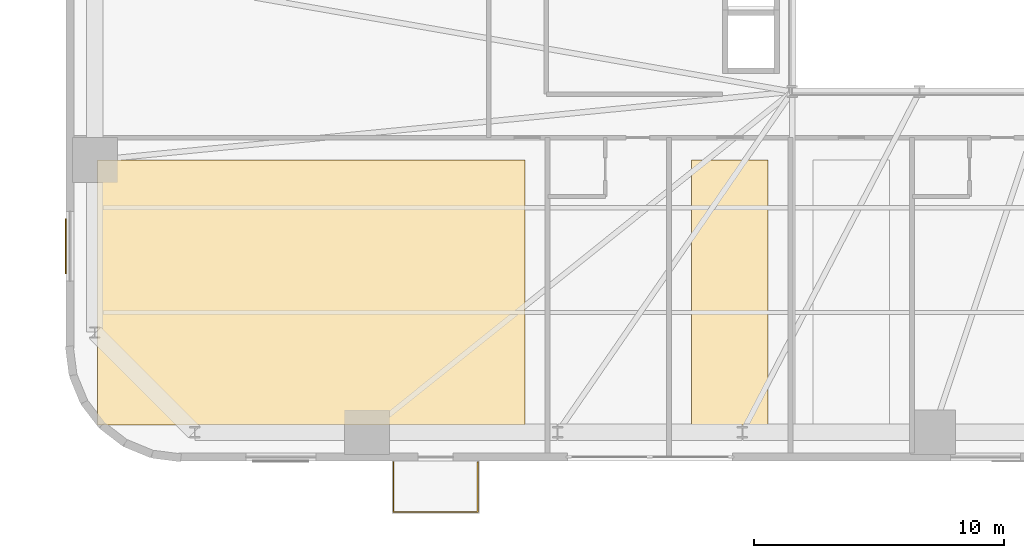
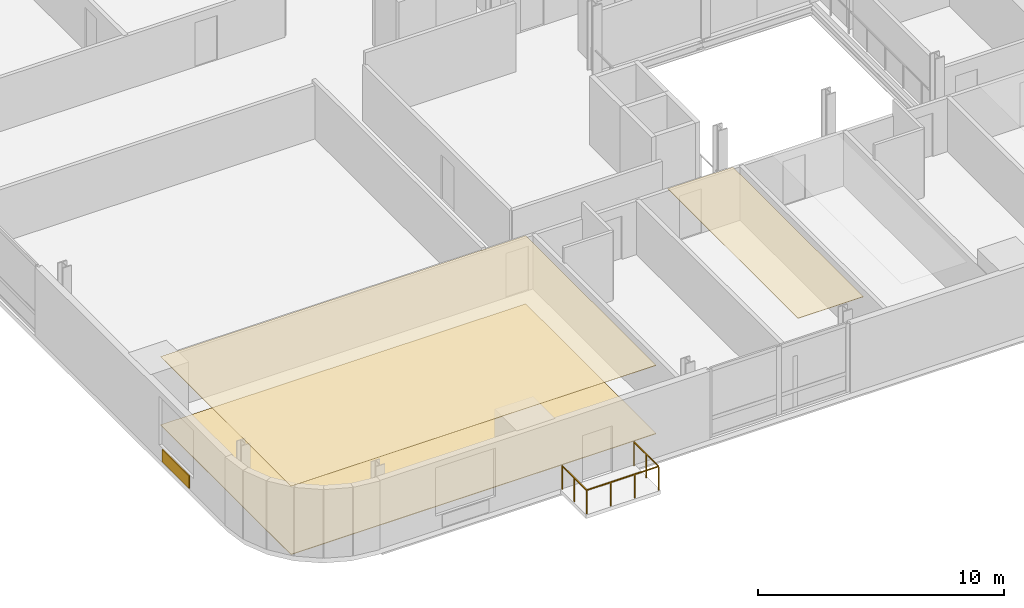
# One storey, part 10 of 13: 4 coverings, 1 railing.
"""IFC4 building model written with IfcOpenShell, lengths in metres."""

from ifc_helpers import new_model, si_unit, direction, frame, origin, origin_2d, place, context, subcontext, project, spatial, polyline, rectangle, outline, extrude, source, transform, mapped, material, layer, layer_set, type_object, element, save


model = new_model("IFC4")

# Units and contexts
model_context = context("Model", 3, precision=1e-05, world=origin(), true_north=direction((0.0, 1.0)))
body_context = subcontext(model_context, "Body", "Model", "MODEL_VIEW")
ifc_project = project(units=[si_unit("LENGTHUNIT", "METRE"), si_unit("AREAUNIT", "SQUARE_METRE"), si_unit("VOLUMEUNIT", "CUBIC_METRE"), si_unit("PLANEANGLEUNIT", "RADIAN"), si_unit("MASSUNIT", "GRAM", prefix="KILO")], contexts=[model_context])

# Site, building, storey
site_placement = place(None, origin())
site = spatial("IfcSite", under=ifc_project, at=site_placement, CompositionType="ELEMENT")
building_placement = place(site_placement, origin())
building = spatial("IfcBuilding", under=site, at=building_placement, Name="Vardaveli Station Tower", CompositionType="ELEMENT")
storey_placement = place(building_placement, frame((0.0, 0.0, 49.5)))
storey = spatial("IfcBuildingStorey", under=building, at=storey_placement, Name="L12", CompositionType="ELEMENT", Elevation=49.5)

# Coverings
ifc_material_1 = material(Name="Perforated acoustic mineral ceiling")
ifc_layer_1 = layer(ifc_material_1, 0.02001953125, Name="Perforated acoustic mineral ceiling")
ifc_layer_set_1 = layer_set([ifc_layer_1], Name="Perforated acoustic mineral ceiling")
covering_type_1 = type_object("IfcCoveringType", Name="COV-CEIL-AC20", PredefinedType="CEILING", material=ifc_layer_set_1)
covering_1_placement = place(storey_placement, frame((0.0, 0.0, 3.39501953125)))
element("IfcCovering", 1, at=covering_1_placement, inside=storey, type_object=covering_type_1, Name="CEIL-L12-1", PredefinedType="CEILING", context=body_context, shape_type="SweptSolid", body=[
    extrude(outline(polyline([(3.35009765625, 3.25), (20.5, 3.25), (20.5, 13.860107421875), (3.35009765625, 13.860107421875), (3.35009765625, 3.25)])), origin(), (0.0, 0.0, 1.0), 0.02001953125),
])
covering_2_placement = place(storey_placement, frame((0.0, 0.0, 3.39501953125)))
element("IfcCovering", 2, at=covering_2_placement, inside=storey, type_object=covering_type_1, Name="CEIL-L12-2", PredefinedType="CEILING", context=body_context, shape_type="SweptSolid", body=[
    extrude(outline(polyline([(27.166748046875, 3.25), (30.2333984375, 3.25), (30.2333984375, 13.860107421875), (27.166748046875, 13.860107421875), (27.166748046875, 3.25)])), origin(), (0.0, 0.0, 1.0), 0.02001953125),
])
ifc_material_2 = material(Name="Honed Caucasian basalt and travertine flooring", Category="masonry")
ifc_layer_2 = layer(ifc_material_2, 0.030029296875, Name="Honed Caucasian basalt and travertine flooring")
ifc_layer_set_2 = layer_set([ifc_layer_2], Name="Honed Caucasian basalt and travertine flooring")
covering_type_2 = type_object("IfcCoveringType", Name="COV-FLOOR-ST30", PredefinedType="FLOORING", material=ifc_layer_set_2)
covering_3_placement = place(storey_placement, origin())
element("IfcCovering", 3, at=covering_3_placement, inside=storey, type_object=covering_type_2, Name="FLR-L12-1", PredefinedType="FLOORING", context=body_context, shape_type="SweptSolid", body=[
    extrude(outline(polyline([(3.35009765625, 3.25), (20.5, 3.25), (20.5, 13.860107421875), (3.35009765625, 13.860107421875), (3.35009765625, 3.25)])), origin(), (0.0, 0.0, 1.0), 0.030029296875),
])
ifc_material_3 = material(Name="Ventilated honed travertine stone cladding", Category="masonry")
ifc_layer_3 = layer(ifc_material_3, 0.044921875, Name="Ventilated honed travertine stone cladding")
ifc_layer_set_3 = layer_set([ifc_layer_3], Name="Ventilated honed travertine stone cladding")
covering_type_3 = type_object("IfcCoveringType", Name="COV-CLAD-TR45", PredefinedType="CLADDING", material=ifc_layer_set_3)
shared_shape_1 = source(origin(), body_context, "Body", "SweptSolid", [
    extrude(rectangle(XDim=2.199951171875, YDim=0.044921875, at=origin_2d()), origin(), (0.0, 0.0, 1.0), 0.6201171875),
])
covering_4_placement = place(storey_placement, frame((2.08544921875, 10.405029296875, 0.06982421875), z_axis=(0.0, 0.0, 1.0), x_axis=(0.0, 1.0, 0.0)))
element("IfcCovering", 4, at=covering_4_placement, inside=storey, type_object=covering_type_3, Name="CLD-TR-L12-W", PredefinedType="CLADDING", context=body_context, shape_type="MappedRepresentation", body=[
    mapped(shared_shape_1, transform((0.0, 0.0, 0.0), scale=1.0)),
])

# Railing
ifc_material_4 = material(Name="Laminated glass and stainless steel balustrade", Category="steel")
railing_type = type_object("IfcRailingType", Name="RL-BAL-1200", PredefinedType="BALUSTRADE", material=ifc_material_4)
shared_shape_2 = source(origin(), body_context, "Body", "SweptSolid", [
    extrude(rectangle(XDim=0.048095703125, YDim=0.048095703125, at=origin_2d()), frame((0.0, 0.0, 1.17578125), z_axis=(0.0, -1.0, 0.0), x_axis=(1.0, 0.0, 0.0)), (0.0, 0.0, 1.0), 2.0),
    extrude(rectangle(XDim=0.048095703125, YDim=0.048095703125, at=origin_2d()), frame((0.0, -2.0, 1.17578125), z_axis=(1.0, 0.0, 0.0), x_axis=(0.0, 1.0, 0.0)), (0.0, 0.0, 1.0), 3.3798828125),
    extrude(rectangle(XDim=0.048095703125, YDim=0.048095703125, at=origin_2d()), frame((3.3798828125, -2.0, 1.17578125), z_axis=(0.0, 1.0, 0.0), x_axis=(-1.0, 0.0, 0.0)), (0.0, 0.0, 1.0), 2.0),
    extrude(rectangle(XDim=0.0419921875, YDim=0.0419921875, at=origin_2d()), origin(), (0.0, 0.0, 1.0), 1.15185546875),
    extrude(rectangle(XDim=0.0419921875, YDim=0.0419921875, at=origin_2d()), frame((0.0, -1.0, 0.0)), (0.0, 0.0, 1.0), 1.15185546875),
    extrude(rectangle(XDim=0.0419921875, YDim=0.0419921875, at=origin_2d()), frame((0.0, -2.0, 0.0)), (0.0, 0.0, 1.0), 1.15185546875),
    extrude(rectangle(XDim=0.0419921875, YDim=0.0419921875, at=origin_2d()), frame((1.126708984375, -2.0, 0.0)), (0.0, 0.0, 1.0), 1.15185546875),
    extrude(rectangle(XDim=0.0419921875, YDim=0.0419921875, at=origin_2d()), frame((2.253173828125, -2.0, 0.0)), (0.0, 0.0, 1.0), 1.15185546875),
    extrude(rectangle(XDim=0.0419921875, YDim=0.0419921875, at=origin_2d()), frame((3.3798828125, -2.0, 0.0)), (0.0, 0.0, 1.0), 1.15185546875),
    extrude(rectangle(XDim=0.0419921875, YDim=0.0419921875, at=origin_2d()), frame((3.3798828125, -1.0, 0.0)), (0.0, 0.0, 1.0), 1.15185546875),
    extrude(rectangle(XDim=0.0419921875, YDim=0.0419921875, at=origin_2d()), frame((3.3798828125, 0.0, 0.0)), (0.0, 0.0, 1.0), 1.15185546875),
])
railing_placement = place(storey_placement, frame((15.220458984375, 1.760009765625, 0.0)))
element("IfcRailing", 5, at=railing_placement, inside=storey, type_object=railing_type, Name="RL-LOG-L12-01", PredefinedType="BALUSTRADE", context=body_context, shape_type="MappedRepresentation", body=[
    mapped(shared_shape_2, transform((0.0, 0.0, 0.0), scale=1.0)),
])

save(model, "model.ifc")
